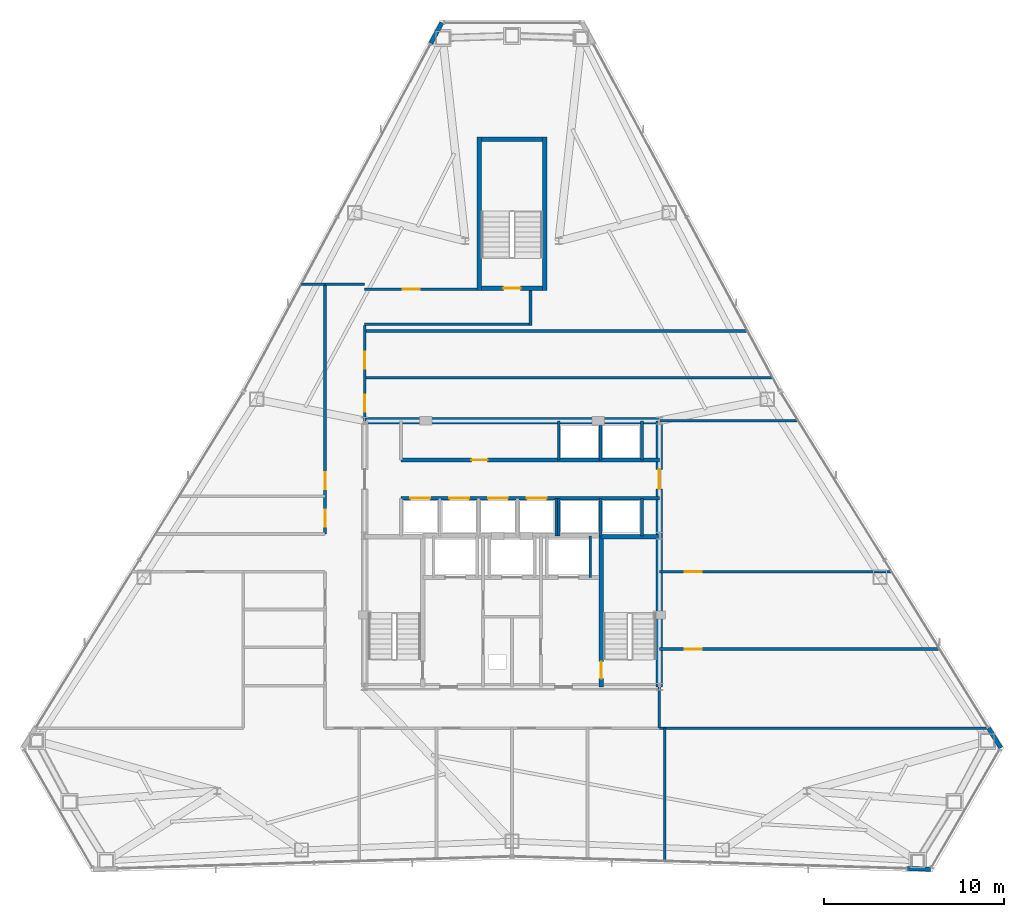
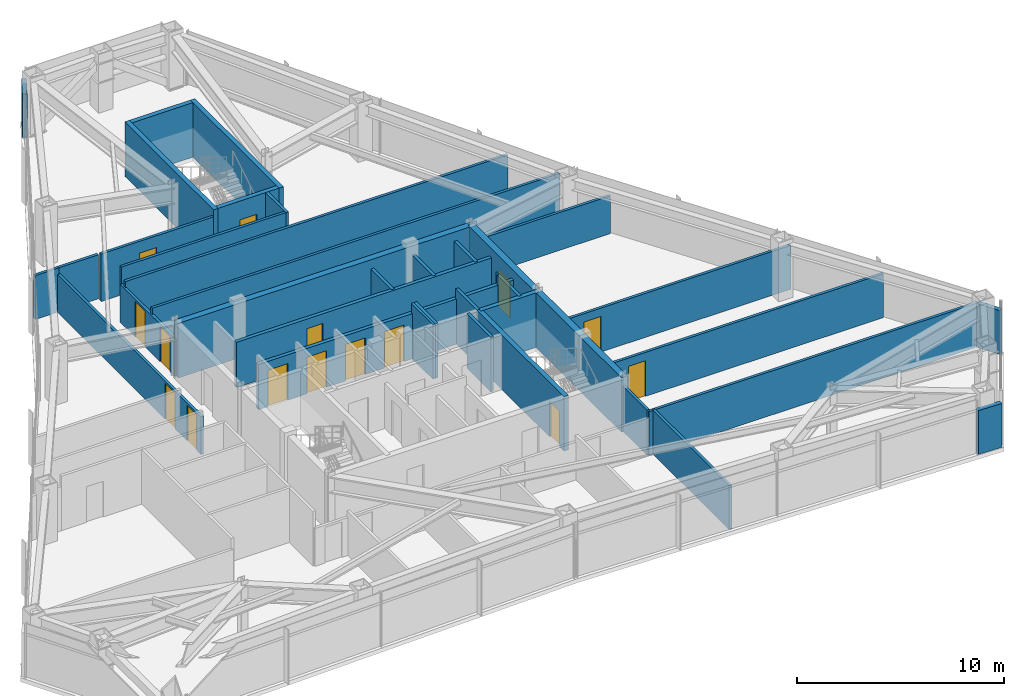
# One storey, part 11 of 13: 36 walls, 15 doors, 15 openings.
"""IFC4 building model written with IfcOpenShell, lengths in metres."""

from ifc_helpers import new_model, si_unit, direction, frame, frame_2d, origin, place, context, subcontext, project, spatial, rectangle, extrude, material, layer, layer_set, type_object, element, fill, save


model = new_model("IFC4")

# Units and contexts
model_context = context("Model", 3, precision=1e-05, world=origin(), true_north=direction((0.0, 1.0)))
body_context = subcontext(model_context, "Body", "Model", "MODEL_VIEW")
ifc_project = project(units=[si_unit("LENGTHUNIT", "METRE"), si_unit("AREAUNIT", "SQUARE_METRE"), si_unit("VOLUMEUNIT", "CUBIC_METRE"), si_unit("PLANEANGLEUNIT", "RADIAN"), si_unit("MASSUNIT", "GRAM", prefix="KILO")], contexts=[model_context])

# Site, building, storey
site_placement = place(None, origin())
site = spatial("IfcSite", under=ifc_project, at=site_placement, CompositionType="ELEMENT")
building_placement = place(site_placement, origin())
building = spatial("IfcBuilding", under=site, at=building_placement, Name="Varakhsha Concourse Tower", CompositionType="ELEMENT")
storey_placement = place(building_placement, frame((0.0, 0.0, 168.89990234375)))
storey = spatial("IfcBuildingStorey", under=building, at=storey_placement, Name="L48", CompositionType="ELEMENT", Elevation=168.89990234375)

# Wall
ifc_material_1 = material(Name="Concrete fc 65 MPa", Category="concrete")
ifc_layer_1 = layer(ifc_material_1, 0.35009765625, Name="WL-CORE-350")
ifc_layer_set_1 = layer_set([ifc_layer_1], Name="Concrete fc 65 MPa")
wall_type_1 = type_object("IfcWallType", Name="WL-CORE-350", PredefinedType="SHEAR", material=ifc_layer_set_1)
wall_1_placement = place(storey_placement, frame((31.800048828125, 31.199951171875, 0.0), z_axis=(0.0, 0.0, 1.0), x_axis=(1.0, 0.0, 0.0)))
element("IfcWall", 1, at=wall_1_placement, inside=storey, type_object=wall_type_1, Name="L48 Wall CWALL-N-L48", PredefinedType="SHEAR", context=body_context, shape_type="SweptSolid", body=[
    extrude(rectangle(XDim=16.39990234375, YDim=0.35009765625, at=frame_2d((8.199951171875, 0.0))), origin(), (0.0, 0.0, 1.0), 3.210205078125),
])

# Wall, opening, door
wall_2_placement = place(storey_placement, frame((48.199951171875, 16.39990234375, 0.0), z_axis=(0.0, 0.0, 1.0), x_axis=(0.0, 1.0, 0.0)))
wall_2 = element("IfcWall", 2, at=wall_2_placement, inside=storey, type_object=wall_type_1, Name="L48 Wall CWALL-E-L48", PredefinedType="SHEAR", context=body_context, shape_type="SweptSolid", body=[
    extrude(rectangle(XDim=14.800048828125, YDim=0.35009765625, at=frame_2d((7.39990234375, 0.0))), origin(), (0.0, 0.0, 1.0), 3.210205078125),
])
opening_1_placement = place(wall_2_placement, frame((11.0, 0.0, 0.0)))
opening_1 = element("IfcOpeningElement", 3, at=opening_1_placement, cuts=wall_2, Name="Opening DL-01", PredefinedType="OPENING", context=body_context, shape_type="SweptSolid", body=[
    extrude(rectangle(XDim=1.10009765625, YDim=2.14990234375, at=frame_2d((0.550048828125, 1.074951171875))), frame((0.0, 0.18505859375, 0.0), z_axis=(0.0, -1.0, 0.0), x_axis=(1.0, 0.0, 0.0)), (0.0, 0.0, 1.0), 0.3701171875),
])
ifc_material_2 = material(Name="Anodised Bronze Architectural Aluminium AA 6063-T6", Category="aluminium")
door_type_1 = type_object("IfcDoorType", Name="DR-LOB-1100", OperationType="NOTDEFINED", PredefinedType="DOOR", material=ifc_material_2)
door_1_placement = place(opening_1_placement, origin())
door_1 = element("IfcDoor", 4, at=door_1_placement, inside=storey, type_object=door_type_1, Name="L48 Lift Lobby East Concourse Door", OperationType="SINGLE_SWING_RIGHT", OverallHeight=2.14990234375, OverallWidth=1.10009765625, PredefinedType="DOOR", context=body_context, shape_type="SweptSolid", body=[
    extrude(rectangle(XDim=1.10009765625, YDim=2.14990234375, at=frame_2d((0.550048828125, 1.074951171875))), frame((0.0, 0.02490234375, 0.0), z_axis=(0.0, -1.0, 0.0), x_axis=(1.0, 0.0, 0.0)), (0.0, 0.0, 1.0), 0.050048828125),
])
fill(opening_1, door_1)

# Walls
ifc_material_3 = material(Name="Concrete fc 45 MPa", Category="concrete")
ifc_layer_2 = layer(ifc_material_3, 0.239990234375, Name="WL-EXT-CRN-240")
ifc_layer_set_2 = layer_set([ifc_layer_2], Name="Concrete fc 45 MPa")
wall_type_2 = type_object("IfcWallType", Name="WL-EXT-CRN-240", PredefinedType="SHEAR", material=ifc_layer_set_2)
for number, where, z_axis, x_axis, name in (
    (5, (36.1015625, 53.349609375, 0.0), (0.0, 0.0, 1.0), (-0.473296093107, -0.880903404608, 0.0), "L48 Wind-Corner Shoulder Wall F2"),
    (6, (61.9912109375, 6.288818359375, 0.0), (0.0, 0.0, 1.0), (0.999534631681, -0.030504427067, 0.0), "L48 Wind-Corner Shoulder Wall F6"),
):
    element("IfcWall", number, at=place(storey_placement, frame(where, z_axis=z_axis, x_axis=x_axis)), inside=storey, type_object=wall_type_2, Name=name, PredefinedType="SHEAR", context=body_context, shape_type="SweptSolid", body=[
        extrude(rectangle(XDim=1.304443359375, YDim=0.239990234375, at=frame_2d((0.65234375, 0.0))), origin(), (0.0, 0.0, 1.0), 2.5830078125),
    ])
wall_3_placement = place(storey_placement, frame((67.193603515625, 13.001220703125, 0.0), z_axis=(0.0, 0.0, 1.0), x_axis=(-0.526225760999, 0.850344899709, 0.0)))
element("IfcWall", 7, at=wall_3_placement, inside=storey, type_object=wall_type_2, Name="L48 Wind-Corner Shoulder Wall F8", PredefinedType="SHEAR", context=body_context, shape_type="SweptSolid", body=[
    extrude(rectangle(XDim=1.3046875, YDim=0.239990234375, at=frame_2d((0.65234375, 0.0))), origin(), (0.0, 0.0, 1.0), 2.5830078125),
])
ifc_material_4 = material(Name="Fire-Rated Type X Gypsum Partition Assembly", Category="gypsum")
ifc_layer_3 = layer(ifc_material_4, 0.14990234375, Name="WL-PART-150")
ifc_layer_set_3 = layer_set([ifc_layer_3], Name="Fire-Rated Type X Gypsum Partition Assembly")
wall_type_3 = type_object("IfcWallType", Name="WL-PART-150", PredefinedType="PARTITIONING", material=ifc_layer_set_3)
wall_4_placement = place(storey_placement, frame((48.199951171875, 14.10009765625, 0.0), z_axis=(0.0, 0.0, 1.0), x_axis=(0.0, 1.0, 0.0)))
element("IfcWall", 8, at=wall_4_placement, inside=storey, type_object=wall_type_3, Name="L48 Wall CRW-SE-L48", PredefinedType="PARTITIONING", context=body_context, shape_type="SweptSolid", body=[
    extrude(rectangle(XDim=2.2998046875, YDim=0.14990234375, at=frame_2d((1.14990234375, 0.0))), origin(), (0.0, 0.0, 1.0), 2.6650390625),
])

# Wall, openings, doors
wall_5_placement = place(storey_placement, frame((29.60009765625, 24.89990234375, 0.0), z_axis=(0.0, 0.0, 1.0), x_axis=(0.0, 1.0, 0.0)))
wall_5 = element("IfcWall", 9, at=wall_5_placement, inside=storey, type_object=wall_type_3, Name="L48 Wall CRW-WN-L48", PredefinedType="PARTITIONING", context=body_context, shape_type="SweptSolid", body=[
    extrude(rectangle(XDim=13.900146484375, YDim=0.14990234375, at=frame_2d((6.9501953125, 0.0))), origin(), (0.0, 0.0, 1.0), 2.22509765625),
])
opening_2_placement = place(wall_5_placement, frame((0.39990234375, 0.0, 0.0)))
opening_2 = element("IfcOpeningElement", 10, at=opening_2_placement, cuts=wall_5, Name="Opening DF-05", PredefinedType="OPENING", context=body_context, shape_type="SweptSolid", body=[
    extrude(rectangle(XDim=0.949951171875, YDim=2.10009765625, at=frame_2d((0.47509765625, 1.050048828125))), frame((0.0, 0.0849609375, 0.0), z_axis=(0.0, -1.0, 0.0), x_axis=(1.0, 0.0, 0.0)), (0.0, 0.0, 1.0), 0.169921875),
])
opening_3_placement = place(wall_5_placement, frame((2.5, 0.0, 0.0)))
opening_3 = element("IfcOpeningElement", 11, at=opening_3_placement, cuts=wall_5, Name="Opening DF-05", PredefinedType="OPENING", context=body_context, shape_type="SweptSolid", body=[
    extrude(rectangle(XDim=0.949951171875, YDim=2.10009765625, at=frame_2d((0.47509765625, 1.050048828125))), frame((0.0, 0.0849609375, 0.0), z_axis=(0.0, -1.0, 0.0), x_axis=(1.0, 0.0, 0.0)), (0.0, 0.0, 1.0), 0.169921875),
])
ifc_material_5 = material(Name="Hollow Galvanised Steel Fire Door Assembly", Category="steel")
door_type_2 = type_object("IfcDoorType", Name="DR-FD60-950", OperationType="NOTDEFINED", PredefinedType="DOOR", material=ifc_material_5)
door_2_placement = place(opening_2_placement, origin())
door_2 = element("IfcDoor", 12, at=door_2_placement, inside=storey, type_object=door_type_2, Name="L48 Community Cafe Kitchen L48-NW Door", OperationType="SINGLE_SWING_RIGHT", OverallHeight=2.10009765625, OverallWidth=0.949951171875, PredefinedType="DOOR", context=body_context, shape_type="SweptSolid", body=[
    extrude(rectangle(XDim=0.949951171875, YDim=2.10009765625, at=frame_2d((0.47509765625, 1.050048828125))), frame((0.0, 0.02490234375, 0.0), z_axis=(0.0, -1.0, 0.0), x_axis=(1.0, 0.0, 0.0)), (0.0, 0.0, 1.0), 0.050048828125),
])
fill(opening_2, door_2)
door_3_placement = place(opening_3_placement, origin())
door_3 = element("IfcDoor", 13, at=door_3_placement, inside=storey, type_object=door_type_2, Name="L48 Hot-Desk Studio Neighborhood L48-W2 Door", OperationType="SINGLE_SWING_LEFT", OverallHeight=2.10009765625, OverallWidth=0.949951171875, PredefinedType="DOOR", context=body_context, shape_type="SweptSolid", body=[
    extrude(rectangle(XDim=0.949951171875, YDim=2.10009765625, at=frame_2d((0.47509765625, 1.050048828125))), frame((0.0, 0.02490234375, 0.0), z_axis=(0.0, -1.0, 0.0), x_axis=(1.0, 0.0, 0.0)), (0.0, 0.0, 1.0), 0.050048828125),
])
fill(opening_3, door_3)

wall_6_placement = place(storey_placement, frame((31.800048828125, 31.199951171875, 0.0), z_axis=(0.0, 0.0, 1.0), x_axis=(0.0, 1.0, 0.0)))
wall_6 = element("IfcWall", 14, at=wall_6_placement, inside=storey, type_object=wall_type_3, Name="L48 Wall CRW-NE-L48", PredefinedType="PARTITIONING", context=body_context, shape_type="SweptSolid", body=[
    extrude(rectangle(XDim=5.300048828125, YDim=0.14990234375, at=frame_2d((2.64990234375, 0.0))), origin(), (0.0, 0.0, 1.0), 2.22509765625),
])
opening_4_placement = place(wall_6_placement, frame((0.5, 0.0, 0.0)))
opening_4 = element("IfcOpeningElement", 15, at=opening_4_placement, cuts=wall_6, Name="Opening DF-05", PredefinedType="OPENING", context=body_context, shape_type="SweptSolid", body=[
    extrude(rectangle(XDim=0.949951171875, YDim=2.10009765625, at=frame_2d((0.47509765625, 1.050048828125))), frame((0.0, 0.0849609375, 0.0), z_axis=(0.0, -1.0, 0.0), x_axis=(1.0, 0.0, 0.0)), (0.0, 0.0, 1.0), 0.169921875),
])
opening_5_placement = place(wall_6_placement, frame((2.89990234375, 0.0, 0.0)))
opening_5 = element("IfcOpeningElement", 16, at=opening_5_placement, cuts=wall_6, Name="Opening DF-05", PredefinedType="OPENING", context=body_context, shape_type="SweptSolid", body=[
    extrude(rectangle(XDim=0.949951171875, YDim=2.10009765625, at=frame_2d((0.47509765625, 1.050048828125))), frame((0.0, 0.0849609375, 0.0), z_axis=(0.0, -1.0, 0.0), x_axis=(1.0, 0.0, 0.0)), (0.0, 0.0, 1.0), 0.169921875),
])
door_4_placement = place(opening_4_placement, origin())
door_4 = element("IfcDoor", 17, at=door_4_placement, inside=storey, type_object=door_type_2, Name="L48 Mountain View Project Pitch Room L48-NE1 Door", OperationType="SINGLE_SWING_RIGHT", OverallHeight=2.10009765625, OverallWidth=0.949951171875, PredefinedType="DOOR", context=body_context, shape_type="SweptSolid", body=[
    extrude(rectangle(XDim=0.949951171875, YDim=2.10009765625, at=frame_2d((0.47509765625, 1.050048828125))), frame((0.0, 0.02490234375, 0.0), z_axis=(0.0, -1.0, 0.0), x_axis=(1.0, 0.0, 0.0)), (0.0, 0.0, 1.0), 0.050048828125),
])
fill(opening_4, door_4)
door_5_placement = place(opening_5_placement, origin())
door_5 = element("IfcDoor", 18, at=door_5_placement, inside=storey, type_object=door_type_2, Name="L48 Apex Hot-Desk Studio Neighborhood L48-NE2 Door", OperationType="SINGLE_SWING_RIGHT", OverallHeight=2.10009765625, OverallWidth=0.949951171875, PredefinedType="DOOR", context=body_context, shape_type="SweptSolid", body=[
    extrude(rectangle(XDim=0.949951171875, YDim=2.10009765625, at=frame_2d((0.47509765625, 1.050048828125))), frame((0.0, 0.02490234375, 0.0), z_axis=(0.0, -1.0, 0.0), x_axis=(1.0, 0.0, 0.0)), (0.0, 0.0, 1.0), 0.050048828125),
])
fill(opening_5, door_5)

# Walls
wall_7_placement = place(storey_placement, frame((29.60009765625, 38.800048828125, 0.0), z_axis=(0.0, 0.0, 1.0), x_axis=(1.0, 0.0, 0.0)))
element("IfcWall", 19, at=wall_7_placement, inside=storey, type_object=wall_type_3, Name="L48 Wall CRW-NCAP-L48", PredefinedType="PARTITIONING", context=body_context, shape_type="SweptSolid", body=[
    extrude(rectangle(XDim=2.199951171875, YDim=0.14990234375, at=frame_2d((1.10009765625, 0.0))), origin(), (0.0, 0.0, 1.0), 2.589111328125),
])
wall_8_placement = place(storey_placement, frame((48.5, 6.705810546875, 0.0), z_axis=(0.0, 0.0, 1.0), x_axis=(0.0, 1.0, 0.0)))
element("IfcWall", 20, at=wall_8_placement, inside=storey, type_object=wall_type_3, Name="L48 Wall ODIV-S5-L48", PredefinedType="PARTITIONING", context=body_context, shape_type="SweptSolid", body=[
    extrude(rectangle(XDim=7.394287109375, YDim=0.14990234375, at=frame_2d((3.697265625, 0.0))), origin(), (0.0, 0.0, 1.0), 2.589111328125),
])
wall_9_placement = place(storey_placement, frame((28.289306640625, 38.800048828125, 0.0), z_axis=(0.0, 0.0, 1.0), x_axis=(1.0, 0.0, 0.0)))
element("IfcWall", 21, at=wall_9_placement, inside=storey, type_object=wall_type_3, Name="L48 Wall ODIV-NWT-L48", PredefinedType="PARTITIONING", context=body_context, shape_type="SweptSolid", body=[
    extrude(rectangle(XDim=1.310791015625, YDim=0.14990234375, at=frame_2d((0.6552734375, 0.0))), origin(), (0.0, 0.0, 1.0), 2.589111328125),
])
wall_10_placement = place(storey_placement, frame((48.199951171875, 31.199951171875, 0.0), z_axis=(0.0, 0.0, 1.0), x_axis=(1.0, 0.0, 0.0)))
element("IfcWall", 22, at=wall_10_placement, inside=storey, type_object=wall_type_3, Name="L48 Wall ODIV-NEB-L48", PredefinedType="PARTITIONING", context=body_context, shape_type="SweptSolid", body=[
    extrude(rectangle(XDim=7.7265625, YDim=0.14990234375, at=frame_2d((3.86328125, 0.0))), origin(), (0.0, 0.0, 1.0), 2.22509765625),
])
wall_11_placement = place(storey_placement, frame((31.800048828125, 33.60009765625, 0.0), z_axis=(0.0, 0.0, 1.0), x_axis=(1.0, 0.0, 0.0)))
element("IfcWall", 23, at=wall_11_placement, inside=storey, type_object=wall_type_3, Name="L48 Wall ODIV-NE1-L48", PredefinedType="PARTITIONING", context=body_context, shape_type="SweptSolid", body=[
    extrude(rectangle(XDim=22.704833984375, YDim=0.14990234375, at=frame_2d((11.3525390625, 0.0))), origin(), (0.0, 0.0, 1.0), 2.589111328125),
])
wall_12_placement = place(storey_placement, frame((31.800048828125, 36.199951171875, 0.0), z_axis=(0.0, 0.0, 1.0), x_axis=(1.0, 0.0, 0.0)))
element("IfcWall", 24, at=wall_12_placement, inside=storey, type_object=wall_type_3, Name="L48 Wall ODIV-NE2-L48", PredefinedType="PARTITIONING", context=body_context, shape_type="SweptSolid", body=[
    extrude(rectangle(XDim=21.307861328125, YDim=0.14990234375, at=frame_2d((10.65380859375, 0.0))), origin(), (0.0, 0.0, 1.0), 2.589111328125),
])
wall_13_placement = place(storey_placement, frame((48.199951171875, 14.10009765625, 0.0), z_axis=(0.0, 0.0, 1.0), x_axis=(1.0, 0.0, 0.0)))
element("IfcWall", 25, at=wall_13_placement, inside=storey, type_object=wall_type_3, Name="L48 Wall ODIV-EB0-L48", PredefinedType="PARTITIONING", context=body_context, shape_type="SweptSolid", body=[
    extrude(rectangle(XDim=18.307861328125, YDim=0.14990234375, at=frame_2d((9.15380859375, 0.0))), origin(), (0.0, 0.0, 1.0), 2.589111328125),
])

# Wall, opening, door
wall_14_placement = place(storey_placement, frame((48.199951171875, 18.5, 0.0), z_axis=(0.0, 0.0, 1.0), x_axis=(1.0, 0.0, 0.0)))
wall_14 = element("IfcWall", 26, at=wall_14_placement, inside=storey, type_object=wall_type_3, Name="L48 Wall ODIV-E1-L48", PredefinedType="PARTITIONING", context=body_context, shape_type="SweptSolid", body=[
    extrude(rectangle(XDim=15.5849609375, YDim=0.14990234375, at=frame_2d((7.79248046875, 0.0))), origin(), (0.0, 0.0, 1.0), 2.589111328125),
])
opening_6_placement = place(wall_14_placement, frame((1.39990234375, 0.0, 0.0)))
opening_6 = element("IfcOpeningElement", 27, at=opening_6_placement, cuts=wall_14, Name="Opening DF-05", PredefinedType="OPENING", context=body_context, shape_type="SweptSolid", body=[
    extrude(rectangle(XDim=0.949951171875, YDim=2.10009765625, at=frame_2d((0.47509765625, 1.050048828125))), frame((0.0, 0.0849609375, 0.0), z_axis=(0.0, -1.0, 0.0), x_axis=(1.0, 0.0, 0.0)), (0.0, 0.0, 1.0), 0.169921875),
])
door_6_placement = place(opening_6_placement, origin())
door_6 = element("IfcDoor", 28, at=door_6_placement, inside=storey, type_object=door_type_2, Name="L48 East Suite Interconnect Door 1", OperationType="SINGLE_SWING_LEFT", OverallHeight=2.10009765625, OverallWidth=0.949951171875, PredefinedType="DOOR", context=body_context, shape_type="SweptSolid", body=[
    extrude(rectangle(XDim=0.949951171875, YDim=2.10009765625, at=frame_2d((0.47509765625, 1.050048828125))), frame((0.0, 0.02490234375, 0.0), z_axis=(0.0, -1.0, 0.0), x_axis=(1.0, 0.0, 0.0)), (0.0, 0.0, 1.0), 0.050048828125),
])
fill(opening_6, door_6)

wall_15_placement = place(storey_placement, frame((48.199951171875, 22.800048828125, 0.0), z_axis=(0.0, 0.0, 1.0), x_axis=(1.0, 0.0, 0.0)))
wall_15 = element("IfcWall", 29, at=wall_15_placement, inside=storey, type_object=wall_type_3, Name="L48 Wall ODIV-E2-L48", PredefinedType="PARTITIONING", context=body_context, shape_type="SweptSolid", body=[
    extrude(rectangle(XDim=12.92431640625, YDim=0.14990234375, at=frame_2d((6.462158203125, 0.0))), origin(), (0.0, 0.0, 1.0), 2.589111328125),
])
opening_7_placement = place(wall_15_placement, frame((1.39990234375, 0.0, 0.0)))
opening_7 = element("IfcOpeningElement", 30, at=opening_7_placement, cuts=wall_15, Name="Opening DF-05", PredefinedType="OPENING", context=body_context, shape_type="SweptSolid", body=[
    extrude(rectangle(XDim=0.949951171875, YDim=2.10009765625, at=frame_2d((0.47509765625, 1.050048828125))), frame((0.0, 0.0849609375, 0.0), z_axis=(0.0, -1.0, 0.0), x_axis=(1.0, 0.0, 0.0)), (0.0, 0.0, 1.0), 0.169921875),
])
door_7_placement = place(opening_7_placement, origin())
door_7 = element("IfcDoor", 31, at=door_7_placement, inside=storey, type_object=door_type_2, Name="L48 East Suite Interconnect Door 2", OperationType="SINGLE_SWING_RIGHT", OverallHeight=2.10009765625, OverallWidth=0.949951171875, PredefinedType="DOOR", context=body_context, shape_type="SweptSolid", body=[
    extrude(rectangle(XDim=0.949951171875, YDim=2.10009765625, at=frame_2d((0.47509765625, 1.050048828125))), frame((0.0, 0.02490234375, 0.0), z_axis=(0.0, -1.0, 0.0), x_axis=(1.0, 0.0, 0.0)), (0.0, 0.0, 1.0), 0.050048828125),
])
fill(opening_7, door_7)

# Wall
wall_16_placement = place(storey_placement, frame((31.800048828125, 36.574951171875, 0.0), z_axis=(0.0, 0.0, 1.0), x_axis=(1.0, 0.0, 0.0)))
element("IfcWall", 32, at=wall_16_placement, inside=storey, type_object=wall_type_3, Name="L48 Wall STLK-S-L48", PredefinedType="PARTITIONING", context=body_context, shape_type="SweptSolid", body=[
    extrude(rectangle(XDim=9.14990234375, YDim=0.14990234375, at=frame_2d((4.574951171875, 0.0))), origin(), (0.0, 0.0, 1.0), 3.210205078125),
])

# Wall, opening, door
wall_17_placement = place(storey_placement, frame((31.800048828125, 38.52490234375, 0.0), z_axis=(0.0, 0.0, 1.0), x_axis=(1.0, 0.0, 0.0)))
wall_17 = element("IfcWall", 33, at=wall_17_placement, inside=storey, type_object=wall_type_3, Name="L48 Wall STLK-N-L48", PredefinedType="PARTITIONING", context=body_context, shape_type="SweptSolid", body=[
    extrude(rectangle(XDim=6.25, YDim=0.14990234375, at=frame_2d((3.125, 0.0))), origin(), (0.0, 0.0, 1.0), 2.793212890625),
])
opening_8_placement = place(wall_17_placement, frame((2.125, 0.0, 0.0)))
opening_8 = element("IfcOpeningElement", 34, at=opening_8_placement, cuts=wall_17, Name="Opening DF-05", PredefinedType="OPENING", context=body_context, shape_type="SweptSolid", body=[
    extrude(rectangle(XDim=0.949951171875, YDim=2.10009765625, at=frame_2d((0.47509765625, 1.050048828125))), frame((0.0, 0.0849609375, 0.0), z_axis=(0.0, -1.0, 0.0), x_axis=(1.0, 0.0, 0.0)), (0.0, 0.0, 1.0), 0.169921875),
])
door_8_placement = place(opening_8_placement, origin())
door_8 = element("IfcDoor", 35, at=door_8_placement, inside=storey, type_object=door_type_2, Name="L48 Apex Hot-Desk Studio Neighborhood L48-NE3 Door", OperationType="SINGLE_SWING_RIGHT", OverallHeight=2.10009765625, OverallWidth=0.949951171875, PredefinedType="DOOR", context=body_context, shape_type="SweptSolid", body=[
    extrude(rectangle(XDim=0.949951171875, YDim=2.10009765625, at=frame_2d((0.47509765625, 1.050048828125))), frame((0.0, 0.02490234375, 0.0), z_axis=(0.0, -1.0, 0.0), x_axis=(1.0, 0.0, 0.0)), (0.0, 0.0, 1.0), 0.050048828125),
])
fill(opening_8, door_8)

# Walls
wall_18_placement = place(storey_placement, frame((41.02490234375, 36.5, 0.0), z_axis=(0.0, 0.0, 1.0), x_axis=(0.0, 1.0, 0.0)))
element("IfcWall", 36, at=wall_18_placement, inside=storey, type_object=wall_type_3, Name="L48 Wall STLK-E-L48", PredefinedType="PARTITIONING", context=body_context, shape_type="SweptSolid", body=[
    extrude(rectangle(XDim=1.949951171875, YDim=0.14990234375, at=frame_2d((0.97509765625, 0.0))), origin(), (0.0, 0.0, 1.0), 3.210205078125),
])
ifc_layer_4 = layer(ifc_material_4, 0.199951171875, Name="WL-SHAFT-220")
ifc_layer_set_4 = layer_set([ifc_layer_4], Name="Fire-Rated Type X Gypsum Partition Assembly")
wall_type_4 = type_object("IfcWallType", Name="WL-SHAFT-220", PredefinedType="SOLIDWALL", material=ifc_layer_set_4)
wall_19_placement = place(storey_placement, frame((44.35009765625, 22.47998046875, 0.0), z_axis=(0.0, 0.0, 1.0), x_axis=(0.0, 1.0, 0.0)))
element("IfcWall", 37, at=wall_19_placement, inside=storey, type_object=wall_type_4, Name="L48 Wall SHW-FFL-2-E-L48", PredefinedType="SOLIDWALL", context=body_context, shape_type="SweptSolid", body=[
    extrude(rectangle(XDim=2.320068359375, YDim=0.159912109375, at=frame_2d((1.16015625, 0.0))), origin(), (0.0, 0.0, 1.0), 3.210205078125),
])

# Wall, opening, door
wall_20_placement = place(storey_placement, frame((33.820068359375, 29.02001953125, 0.0), z_axis=(0.0, 0.0, 1.0), x_axis=(1.0, 0.0, 0.0)))
wall_20 = element("IfcWall", 38, at=wall_20_placement, inside=storey, type_object=wall_type_4, Name="L48 Wall PLW-N-L48", PredefinedType="SOLIDWALL", context=body_context, shape_type="SweptSolid", body=[
    extrude(rectangle(XDim=14.3798828125, YDim=0.199951171875, at=frame_2d((7.18994140625, 0.0))), origin(), (0.0, 0.0, 1.0), 2.6650390625),
])
opening_9_placement = place(wall_20_placement, frame((3.919921875, 0.0, 0.0)))
opening_9 = element("IfcOpeningElement", 39, at=opening_9_placement, cuts=wall_20, Name="Opening DF-06", PredefinedType="OPENING", context=body_context, shape_type="SweptSolid", body=[
    extrude(rectangle(XDim=0.89990234375, YDim=2.10009765625, at=frame_2d((0.449951171875, 1.050048828125))), frame((0.0, 0.10986328125, 0.0), z_axis=(0.0, -1.0, 0.0), x_axis=(1.0, 0.0, 0.0)), (0.0, 0.0, 1.0), 0.219970703125),
])
door_type_3 = type_object("IfcDoorType", Name="DR-FD60-900", OperationType="NOTDEFINED", PredefinedType="DOOR", material=ifc_material_5)
door_9_placement = place(opening_9_placement, origin())
door_9 = element("IfcDoor", 40, at=door_9_placement, inside=storey, type_object=door_type_3, Name="L48 Tenant Archive and IT Server Room Door", OperationType="SINGLE_SWING_LEFT", OverallHeight=2.10009765625, OverallWidth=0.89990234375, PredefinedType="DOOR", context=body_context, shape_type="SweptSolid", body=[
    extrude(rectangle(XDim=0.89990234375, YDim=2.10009765625, at=frame_2d((0.449951171875, 1.050048828125))), frame((0.0, 0.02490234375, 0.0), z_axis=(0.0, -1.0, 0.0), x_axis=(1.0, 0.0, 0.0)), (0.0, 0.0, 1.0), 0.050048828125),
])
fill(opening_9, door_9)

# Wall, openings, doors
wall_21_placement = place(storey_placement, frame((33.820068359375, 26.8798828125, 0.0), z_axis=(0.0, 0.0, 1.0), x_axis=(1.0, 0.0, 0.0)))
wall_21 = element("IfcWall", 41, at=wall_21_placement, inside=storey, type_object=wall_type_4, Name="L48 Wall PLW-S-L48", PredefinedType="SOLIDWALL", context=body_context, shape_type="SweptSolid", body=[
    extrude(rectangle(XDim=14.3798828125, YDim=0.199951171875, at=frame_2d((7.18994140625, 0.0))), origin(), (0.0, 0.0, 1.0), 2.6650390625),
])
opening_10_placement = place(wall_21_placement, frame((0.530029296875, 0.0, 0.0)))
opening_10 = element("IfcOpeningElement", 42, at=opening_10_placement, cuts=wall_21, Name="Opening LD-LF-P05", PredefinedType="OPENING", context=body_context, shape_type="SweptSolid", body=[
    extrude(rectangle(XDim=1.10009765625, YDim=2.14990234375, at=frame_2d((0.550048828125, 1.074951171875))), frame((0.0, 0.10986328125, 0.0), z_axis=(0.0, -1.0, 0.0), x_axis=(1.0, 0.0, 0.0)), (0.0, 0.0, 1.0), 0.219970703125),
])
opening_11_placement = place(wall_21_placement, frame((2.68994140625, 0.0, 0.0)))
opening_11 = element("IfcOpeningElement", 43, at=opening_11_placement, cuts=wall_21, Name="Opening LD-LF-P06", PredefinedType="OPENING", context=body_context, shape_type="SweptSolid", body=[
    extrude(rectangle(XDim=1.10009765625, YDim=2.14990234375, at=frame_2d((0.550048828125, 1.074951171875))), frame((0.0, 0.10986328125, 0.0), z_axis=(0.0, -1.0, 0.0), x_axis=(1.0, 0.0, 0.0)), (0.0, 0.0, 1.0), 0.219970703125),
])
opening_12_placement = place(wall_21_placement, frame((4.85009765625, 0.0, 0.0)))
opening_12 = element("IfcOpeningElement", 44, at=opening_12_placement, cuts=wall_21, Name="Opening LD-LF-P07", PredefinedType="OPENING", context=body_context, shape_type="SweptSolid", body=[
    extrude(rectangle(XDim=1.10009765625, YDim=2.14990234375, at=frame_2d((0.550048828125, 1.074951171875))), frame((0.0, 0.10986328125, 0.0), z_axis=(0.0, -1.0, 0.0), x_axis=(1.0, 0.0, 0.0)), (0.0, 0.0, 1.0), 0.219970703125),
])
opening_13_placement = place(wall_21_placement, frame((7.010009765625, 0.0, 0.0)))
opening_13 = element("IfcOpeningElement", 45, at=opening_13_placement, cuts=wall_21, Name="Opening LD-LF-P08", PredefinedType="OPENING", context=body_context, shape_type="SweptSolid", body=[
    extrude(rectangle(XDim=1.10009765625, YDim=2.14990234375, at=frame_2d((0.550048828125, 1.074951171875))), frame((0.0, 0.10986328125, 0.0), z_axis=(0.0, -1.0, 0.0), x_axis=(1.0, 0.0, 0.0)), (0.0, 0.0, 1.0), 0.219970703125),
])
ifc_material_6 = material(Name="Brushed Austenitic Stainless Steel AISI 316", Category="steel")
door_type_4 = type_object("IfcDoorType", Name="DR-LD-1100", OperationType="DOUBLE_DOOR_SLIDING", PredefinedType="DOOR", material=ifc_material_6)
door_10_placement = place(opening_10_placement, origin())
door_10 = element("IfcDoor", 46, at=door_10_placement, inside=storey, type_object=door_type_4, Name="Lift Landing Door LF-P05 L48", OperationType="DOUBLE_DOOR_SLIDING", OverallHeight=2.14990234375, OverallWidth=1.10009765625, PredefinedType="DOOR", context=body_context, shape_type="SweptSolid", body=[
    extrude(rectangle(XDim=1.10009765625, YDim=2.14990234375, at=frame_2d((0.550048828125, 1.074951171875))), frame((0.0, 0.02490234375, 0.0), z_axis=(0.0, -1.0, 0.0), x_axis=(1.0, 0.0, 0.0)), (0.0, 0.0, 1.0), 0.050048828125),
])
fill(opening_10, door_10)
door_11_placement = place(opening_11_placement, origin())
door_11 = element("IfcDoor", 47, at=door_11_placement, inside=storey, type_object=door_type_4, Name="Lift Landing Door LF-P06 L48", OperationType="DOUBLE_DOOR_SLIDING", OverallHeight=2.14990234375, OverallWidth=1.10009765625, PredefinedType="DOOR", context=body_context, shape_type="SweptSolid", body=[
    extrude(rectangle(XDim=1.10009765625, YDim=2.14990234375, at=frame_2d((0.550048828125, 1.074951171875))), frame((0.0, 0.02490234375, 0.0), z_axis=(0.0, -1.0, 0.0), x_axis=(1.0, 0.0, 0.0)), (0.0, 0.0, 1.0), 0.050048828125),
])
fill(opening_11, door_11)
door_12_placement = place(opening_12_placement, origin())
door_12 = element("IfcDoor", 48, at=door_12_placement, inside=storey, type_object=door_type_4, Name="Lift Landing Door LF-P07 L48", OperationType="DOUBLE_DOOR_SLIDING", OverallHeight=2.14990234375, OverallWidth=1.10009765625, PredefinedType="DOOR", context=body_context, shape_type="SweptSolid", body=[
    extrude(rectangle(XDim=1.10009765625, YDim=2.14990234375, at=frame_2d((0.550048828125, 1.074951171875))), frame((0.0, 0.02490234375, 0.0), z_axis=(0.0, -1.0, 0.0), x_axis=(1.0, 0.0, 0.0)), (0.0, 0.0, 1.0), 0.050048828125),
])
fill(opening_12, door_12)
door_13_placement = place(opening_13_placement, origin())
door_13 = element("IfcDoor", 49, at=door_13_placement, inside=storey, type_object=door_type_4, Name="Lift Landing Door LF-P08 L48", OperationType="DOUBLE_DOOR_SLIDING", OverallHeight=2.14990234375, OverallWidth=1.10009765625, PredefinedType="DOOR", context=body_context, shape_type="SweptSolid", body=[
    extrude(rectangle(XDim=1.10009765625, YDim=2.14990234375, at=frame_2d((0.550048828125, 1.074951171875))), frame((0.0, 0.02490234375, 0.0), z_axis=(0.0, -1.0, 0.0), x_axis=(1.0, 0.0, 0.0)), (0.0, 0.0, 1.0), 0.050048828125),
])
fill(opening_13, door_13)

# Walls
wall_22_placement = place(storey_placement, frame((42.4599609375, 24.800048828125, 0.0), z_axis=(0.0, 0.0, 1.0), x_axis=(0.0, 1.0, 0.0)))
element("IfcWall", 50, at=wall_22_placement, inside=storey, type_object=wall_type_4, Name="L48 Wall SHW-LF-P08-E-L48", PredefinedType="SOLIDWALL", context=body_context, shape_type="SweptSolid", body=[
    extrude(rectangle(XDim=2.079833984375, YDim=0.159912109375, at=frame_2d((1.0400390625, 0.0))), origin(), (0.0, 0.0, 1.0), 3.210205078125),
])
for number, where, z_axis, x_axis, name in (
    (51, (42.60009765625, 29.02001953125, 0.0), (0.0, 0.0, 1.0), (0.0, 1.0, 0.0), "L48 Wall SHW-LF-P09-W-L48"),
    (52, (44.919921875, 29.02001953125, 0.0), (0.0, 0.0, 1.0), (0.0, 1.0, 0.0), "L48 Wall SHW-LF-P09-E-L48"),
    (53, (47.239990234375, 29.02001953125, 0.0), (0.0, 0.0, 1.0), (0.0, 1.0, 0.0), "L48 Wall SHW-LF-P10-E-L48"),
):
    element("IfcWall", number, at=place(storey_placement, frame(where, z_axis=z_axis, x_axis=x_axis)), inside=storey, type_object=wall_type_4, Name=name, PredefinedType="SOLIDWALL", context=body_context, shape_type="SweptSolid", body=[
        extrude(rectangle(XDim=2.179931640625, YDim=0.159912109375, at=frame_2d((1.08984375, 0.0))), origin(), (0.0, 0.0, 1.0), 2.6650390625),
    ])
for number, where, z_axis, x_axis, name in (
    (54, (42.60009765625, 24.800048828125, 0.0), (0.0, 0.0, 1.0), (0.0, 1.0, 0.0), "L48 Wall SHW-LF-P11-W-L48"),
    (55, (44.919921875, 24.800048828125, 0.0), (0.0, 0.0, 1.0), (0.0, 1.0, 0.0), "L48 Wall SHW-LF-P11-E-L48"),
    (56, (47.239990234375, 24.800048828125, 0.0), (0.0, 0.0, 1.0), (0.0, 1.0, 0.0), "L48 Wall SHW-LF-P12-E-L48"),
):
    element("IfcWall", number, at=place(storey_placement, frame(where, z_axis=z_axis, x_axis=x_axis)), inside=storey, type_object=wall_type_4, Name=name, PredefinedType="SOLIDWALL", context=body_context, shape_type="SweptSolid", body=[
        extrude(rectangle(XDim=2.079833984375, YDim=0.159912109375, at=frame_2d((1.0400390625, 0.0))), origin(), (0.0, 0.0, 1.0), 3.210205078125),
    ])

# Wall, opening, door
ifc_layer_5 = layer(ifc_material_3, 0.25, Name="WL-STAIR-250")
ifc_layer_set_5 = layer_set([ifc_layer_5], Name="Concrete fc 45 MPa")
wall_type_5 = type_object("IfcWallType", Name="WL-STAIR-250", PredefinedType="SHEAR", material=ifc_layer_set_5)
wall_23_placement = place(storey_placement, frame((44.955078125, 16.39990234375, 0.0), z_axis=(0.0, 0.0, 1.0), x_axis=(0.0, 1.0, 0.0)))
wall_23 = element("IfcWall", 57, at=wall_23_placement, inside=storey, type_object=wall_type_5, Name="L48 Wall SWALL-ST2-W-L48", PredefinedType="SHEAR", context=body_context, shape_type="SweptSolid", body=[
    extrude(rectangle(XDim=8.400146484375, YDim=0.25, at=frame_2d((4.2001953125, 0.0))), origin(), (0.0, 0.0, 1.0), 3.210205078125),
])
opening_14_placement = place(wall_23_placement, frame((0.449951171875, 0.0, 0.0)))
opening_14 = element("IfcOpeningElement", 58, at=opening_14_placement, cuts=wall_23, Name="Opening DF-03", PredefinedType="OPENING", context=body_context, shape_type="SweptSolid", body=[
    extrude(rectangle(XDim=0.949951171875, YDim=2.10009765625, at=frame_2d((0.47509765625, 1.050048828125))), frame((0.0, 0.135009765625, 0.0), z_axis=(0.0, -1.0, 0.0), x_axis=(1.0, 0.0, 0.0)), (0.0, 0.0, 1.0), 0.27001953125),
])
door_type_5 = type_object("IfcDoorType", Name="DR-FD90-950", OperationType="NOTDEFINED", PredefinedType="DOOR", material=ifc_material_5)
door_14_placement = place(opening_14_placement, origin())
door_14 = element("IfcDoor", 59, at=door_14_placement, inside=storey, type_object=door_type_5, Name="L48 Stair ST2 Fire Door", OperationType="SINGLE_SWING_RIGHT", OverallHeight=2.10009765625, OverallWidth=0.949951171875, PredefinedType="DOOR", context=body_context, shape_type="SweptSolid", body=[
    extrude(rectangle(XDim=0.949951171875, YDim=2.10009765625, at=frame_2d((0.47509765625, 1.050048828125))), frame((0.0, 0.02490234375, 0.0), z_axis=(0.0, -1.0, 0.0), x_axis=(1.0, 0.0, 0.0)), (0.0, 0.0, 1.0), 0.050048828125),
])
fill(opening_14, door_14)

# Walls
wall_24_placement = place(storey_placement, frame((44.955078125, 24.7548828125, 0.0), z_axis=(0.0, 0.0, 1.0), x_axis=(1.0, 0.0, 0.0)))
element("IfcWall", 60, at=wall_24_placement, inside=storey, type_object=wall_type_5, Name="L48 Wall SWALL-ST2-N-L48", PredefinedType="SHEAR", context=body_context, shape_type="SweptSolid", body=[
    extrude(rectangle(XDim=3.244873046875, YDim=0.25, at=frame_2d((1.62255859375, 0.0))), origin(), (0.0, 0.0, 1.0), 3.210205078125),
])
for number, where, z_axis, x_axis, name in (
    (61, (38.175048828125, 38.449951171875, 0.0), (0.0, 0.0, 1.0), (0.0, 1.0, 0.0), "L48 Wall SWALL-ST5-W-L48"),
    (62, (41.824951171875, 38.449951171875, 0.0), (0.0, 0.0, 1.0), (0.0, 1.0, 0.0), "L48 Wall SWALL-ST5-E-L48"),
):
    element("IfcWall", number, at=place(storey_placement, frame(where, z_axis=z_axis, x_axis=x_axis)), inside=storey, type_object=wall_type_5, Name=name, PredefinedType="SHEAR", context=body_context, shape_type="SweptSolid", body=[
        extrude(rectangle(XDim=8.550048828125, YDim=0.25, at=frame_2d((4.27490234375, 0.0))), origin(), (0.0, 0.0, 1.0), 3.210205078125),
    ])

# Wall, opening, door
wall_25_placement = place(storey_placement, frame((38.300048828125, 38.574951171875, 0.0), z_axis=(0.0, 0.0, 1.0), x_axis=(1.0, 0.0, 0.0)))
wall_25 = element("IfcWall", 63, at=wall_25_placement, inside=storey, type_object=wall_type_5, Name="L48 Wall SWALL-ST5-S-L48", PredefinedType="SHEAR", context=body_context, shape_type="SweptSolid", body=[
    extrude(rectangle(XDim=3.39990234375, YDim=0.25, at=frame_2d((1.699951171875, 0.0))), origin(), (0.0, 0.0, 1.0), 3.210205078125),
])
opening_15_placement = place(wall_25_placement, frame((1.22509765625, 0.0, 0.0)))
opening_15 = element("IfcOpeningElement", 64, at=opening_15_placement, cuts=wall_25, Name="Opening DF-03", PredefinedType="OPENING", context=body_context, shape_type="SweptSolid", body=[
    extrude(rectangle(XDim=0.949951171875, YDim=2.10009765625, at=frame_2d((0.47509765625, 1.050048828125))), frame((0.0, 0.135009765625, 0.0), z_axis=(0.0, -1.0, 0.0), x_axis=(1.0, 0.0, 0.0)), (0.0, 0.0, 1.0), 0.27001953125),
])
door_15_placement = place(opening_15_placement, origin())
door_15 = element("IfcDoor", 65, at=door_15_placement, inside=storey, type_object=door_type_5, Name="L48 Stair ST5 Fire Door", OperationType="SINGLE_SWING_RIGHT", OverallHeight=2.10009765625, OverallWidth=0.949951171875, PredefinedType="DOOR", context=body_context, shape_type="SweptSolid", body=[
    extrude(rectangle(XDim=0.949951171875, YDim=2.10009765625, at=frame_2d((0.47509765625, 1.050048828125))), frame((0.0, 0.02490234375, 0.0), z_axis=(0.0, -1.0, 0.0), x_axis=(1.0, 0.0, 0.0)), (0.0, 0.0, 1.0), 0.050048828125),
])
fill(opening_15, door_15)

# Wall
wall_26_placement = place(storey_placement, frame((38.300048828125, 46.875, 0.0), z_axis=(0.0, 0.0, 1.0), x_axis=(1.0, 0.0, 0.0)))
element("IfcWall", 66, at=wall_26_placement, inside=storey, type_object=wall_type_5, Name="L48 Wall SWALL-ST5-N-L48", PredefinedType="SHEAR", context=body_context, shape_type="SweptSolid", body=[
    extrude(rectangle(XDim=3.39990234375, YDim=0.25, at=frame_2d((1.699951171875, 0.0))), origin(), (0.0, 0.0, 1.0), 3.210205078125),
])

save(model, "model.ifc")
